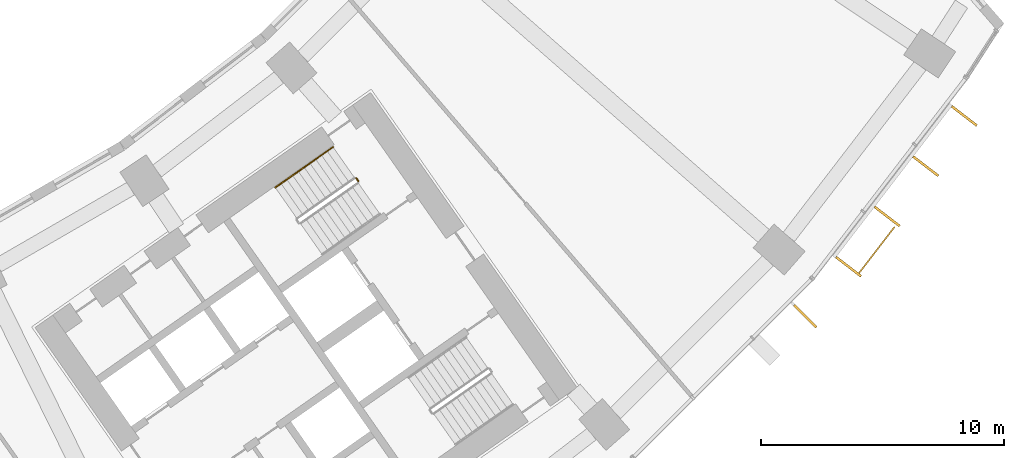
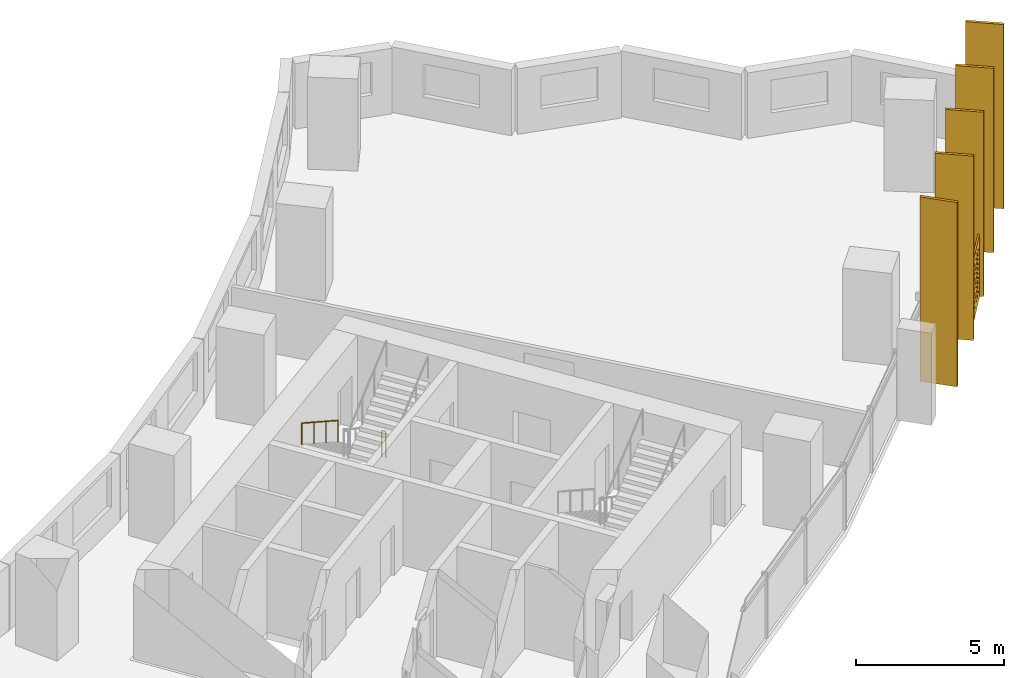
# One storey, part 32 of 32: 6 shading devices, 2 railings.
"""IFC4 building model written with IfcOpenShell, lengths in metres."""

import ifcopenshell
import ifcopenshell.guid

model = None  # the IFC model being written
_history = None  # IfcOwnerHistory: only IFC2X3 demands one
_inside = {}  # id of a spatial element -> (the spatial element, [elements in it])
_under = {}  # id of a project, library or spatial element -> (it, [spatial elements below it])
_declared = {}  # id of a project -> (the project, [libraries it declares])
_typed = {}  # id of a type object -> (the type object, [elements of that type])
_made_of = {}  # id of a material, layer set ... -> (it, [elements and type objects made of it])


def new_model(schema):
    """Start an empty IFC model of exactly this schema.

    Asked for "IFC4X3", IfcOpenShell would pick the latest addendum, in which some entities
    have other attributes; the version numbers below select the first issue.
    IFC2X3 requires an IfcOwnerHistory on every rooted entity: one is made here for all.
    """
    global model, _history
    if schema == "IFC4X3":
        model = ifcopenshell.file(schema_version=(4, 3, 0, 0))
    else:
        model = ifcopenshell.file(schema=schema)
    _inside.clear()
    _under.clear()
    _declared.clear()
    _typed.clear()
    _made_of.clear()
    _history = None
    if model.schema == "IFC2X3":
        org = make("IfcOrganization", Name="unknown")
        user = make(
            "IfcPersonAndOrganization",
            ThePerson=make("IfcPerson", FamilyName="unknown"),
            TheOrganization=org,
        )
        app = make(
            "IfcApplication",
            ApplicationDeveloper=org,
            Version="unknown",
            ApplicationFullName="unknown",
            ApplicationIdentifier="unknown",
        )
        _history = make(
            "IfcOwnerHistory",
            OwningUser=user,
            OwningApplication=app,
            ChangeAction="ADDED",
            CreationDate=0,
        )
    return model


def make(cls, **values):
    """One entity of the class cls with the attributes given. An attribute that is None is left unset."""
    return model.create_entity(
        cls, **{name: value for name, value in values.items() if value is not None}
    )


def rooted(cls, **values):
    """An entity with a GlobalId (a new one), such as an element, a storey or a relation."""
    return make(cls, GlobalId=ifcopenshell.guid.new(), OwnerHistory=_history, **values)


def si_unit(unit_type, name, prefix=None):
    """IfcSIUnit, for example si_unit("LENGTHUNIT", "METRE", prefix="MILLI")."""
    return make("IfcSIUnit", UnitType=unit_type, Prefix=prefix, Name=name)


def assignment(units):
    """IfcUnitAssignment: the units of a project."""
    return None if units is None else make("IfcUnitAssignment", Units=units)


def point(xyz):
    """IfcCartesianPoint."""
    return None if xyz is None else make("IfcCartesianPoint", Coordinates=xyz)


def direction(xyz):
    """IfcDirection."""
    return None if xyz is None else make("IfcDirection", DirectionRatios=xyz)


def frame(location, z_axis=None, x_axis=None):
    """IfcAxis2Placement3D, a coordinate frame: its origin and axes. An axis left out is left unset."""
    return make(
        "IfcAxis2Placement3D",
        Location=point(location),
        Axis=direction(z_axis),
        RefDirection=direction(x_axis),
    )


def frame_2d(location, x_axis=None):
    """IfcAxis2Placement2D, a coordinate frame in the plane: its origin and x axis."""
    return make(
        "IfcAxis2Placement2D", Location=point(location), RefDirection=direction(x_axis)
    )


def origin():
    """The frame at (0, 0, 0) with its axes left unset."""
    return frame((0.0, 0.0, 0.0))


def origin_2d():
    """The frame at (0, 0) in the plane with its x axis left unset."""
    return frame_2d((0.0, 0.0))


def place(relative_to, where):
    """IfcLocalPlacement: puts the frame where relative to a parent placement (None: the world)."""
    return make(
        "IfcLocalPlacement", PlacementRelTo=relative_to, RelativePlacement=where
    )


def context(
    kind, dimensions, precision=None, world=None, true_north=None, identifier=None
):
    """IfcGeometricRepresentationContext, for example the 3D "Model" context."""
    return make(
        "IfcGeometricRepresentationContext",
        ContextIdentifier=identifier,
        ContextType=kind,
        CoordinateSpaceDimension=dimensions,
        Precision=precision,
        WorldCoordinateSystem=world,
        TrueNorth=true_north,
    )


def subcontext(parent, identifier, kind, view, scale=None):
    """IfcGeometricRepresentationSubContext, for example "Body" below "Model"."""
    return make(
        "IfcGeometricRepresentationSubContext",
        ContextIdentifier=identifier,
        ContextType=kind,
        ParentContext=parent,
        TargetScale=scale,
        TargetView=view,
    )


def project(units=None, contexts=None):
    """IfcProject with its units and contexts."""
    return rooted(
        "IfcProject",
        Name="project",
        RepresentationContexts=contexts,
        UnitsInContext=assignment(units),
    )


def spatial(cls, under=None, at=None, **own):
    """A site, building, storey or space (cls), placed at a placement, below another one or the project."""
    s = rooted(cls, ObjectPlacement=at, **own)
    if under is not None:
        _under.setdefault(under.id(), (under, []))[1].append(s)
    return s


def polyline(points):
    """IfcPolyline through the points."""
    return make("IfcPolyline", Points=[point(p) for p in points])


def profile(cls, at=None, kind="AREA", **sizes):
    """A parametric profile (cls). Its sizes go by their IFC names, for example OverallWidth=200.0."""
    return make(cls, ProfileType=kind, Position=at, **sizes)


def rectangle(**sizes):
    """IfcRectangleProfileDef."""
    return profile("IfcRectangleProfileDef", **sizes)


def circle(**sizes):
    """IfcCircleProfileDef."""
    return profile("IfcCircleProfileDef", **sizes)


def outline(outer, holes=None, kind="AREA"):
    """IfcArbitraryClosedProfileDef: a profile drawn as a closed curve; with holes, ...WithVoids."""
    if holes is None:
        return make("IfcArbitraryClosedProfileDef", ProfileType=kind, OuterCurve=outer)
    return make(
        "IfcArbitraryProfileDefWithVoids",
        ProfileType=kind,
        OuterCurve=outer,
        InnerCurves=holes,
    )


def extrude(swept, where, along, depth):
    """IfcExtrudedAreaSolid: the profile swept, set in the frame where, extruded along a direction by depth."""
    return make(
        "IfcExtrudedAreaSolid",
        SweptArea=swept,
        Position=where,
        ExtrudedDirection=direction(along),
        Depth=depth,
    )


def shape(context_of_items, identifier, shape_type, items):
    """IfcShapeRepresentation: the items that make up one representation, for example the "Body"."""
    return make(
        "IfcShapeRepresentation",
        ContextOfItems=context_of_items,
        RepresentationIdentifier=identifier,
        RepresentationType=shape_type,
        Items=items,
    )


def material(Name=None, Category=None):
    """IfcMaterial."""
    return make("IfcMaterial", Name=Name, Category=Category)


def material_profile(
    of_material, cross_section, Name=None, Category=None, Priority=None
):
    """IfcMaterialProfile: a cross section and its material."""
    return make(
        "IfcMaterialProfile",
        Name=Name,
        Material=of_material,
        Profile=cross_section,
        Priority=Priority,
        Category=Category,
    )


def profile_set(profiles, Name=None, composite=None):
    """IfcMaterialProfileSet."""
    return make(
        "IfcMaterialProfileSet",
        Name=Name,
        MaterialProfiles=profiles,
        CompositeProfile=composite,
    )


def made_of(thing, what):
    """Note that an element or type object is made of a material, layer set ...; save() writes the relation."""
    if what is not None:
        _made_of.setdefault(what.id(), (what, []))[1].append(thing)
    return thing


def type_object(cls, material=None, **own):
    """A type object (cls), such as IfcWallType, which elements share."""
    return made_of(rooted(cls, **own), material)


def element(
    cls,
    number,
    at=None,
    inside=None,
    cuts=None,
    type_object=None,
    material=None,
    context=None,
    identifier="Body",
    shape_type=None,
    held_by="IfcProductDefinitionShape",
    body=None,
    shapes=None,
    **own,
):
    """One element of the class cls, such as IfcWall. Its Tag is "e" and its number.

    at: its placement. inside: the storey or other place that contains it. cuts: it is an
    opening in that element (IfcRelVoidsElement). A single representation is given by context,
    identifier, shape_type and body (its items); several are given by shapes. held_by: the class
    of the entity that holds the representations. save() writes the other relations.
    """
    e = rooted(cls, Tag="e%d" % number, ObjectPlacement=at, **own)
    if body is not None:
        shapes = [shape(context, identifier, shape_type, body)]
    if shapes is not None:
        e.Representation = make(held_by, Representations=shapes)
    if inside is not None:
        _inside.setdefault(inside.id(), (inside, []))[1].append(e)
    if cuts is not None:
        rooted(
            "IfcRelVoidsElement", RelatingBuildingElement=cuts, RelatedOpeningElement=e
        )
    if type_object is not None:
        _typed.setdefault(type_object.id(), (type_object, []))[1].append(e)
    return made_of(e, material)


def aggregate(whole, parts):
    """IfcRelAggregates: a whole, such as a stair, and the parts it consists of."""
    return rooted("IfcRelAggregates", RelatingObject=whole, RelatedObjects=parts)


def save(model, path):
    """Write the relations noted so far, then the file.

    IfcRelAggregates (storeys below a building ...), IfcRelContainedInSpatialStructure (elements
    in a storey), IfcRelDefinesByType, IfcRelAssociatesMaterial and IfcRelDeclares: one each for
    every whole, place, type object, material and project.
    """
    for whole, parts in _under.values():
        aggregate(whole, parts)
    for where, things in _inside.values():
        rooted(
            "IfcRelContainedInSpatialStructure",
            RelatedElements=things,
            RelatingStructure=where,
        )
    for kind, things in _typed.values():
        rooted("IfcRelDefinesByType", RelatedObjects=things, RelatingType=kind)
    for what, things in _made_of.values():
        rooted("IfcRelAssociatesMaterial", RelatedObjects=things, RelatingMaterial=what)
    for by, libraries in _declared.values():
        rooted("IfcRelDeclares", RelatingContext=by, RelatedDefinitions=libraries)
    model.write(path)


model = new_model("IFC4")

# Units and contexts
model_context = context("Model", 3, precision=1e-05, world=origin(), true_north=direction((0.0, 1.0)))
body_context = subcontext(model_context, "Body", "Model", "MODEL_VIEW")
ifc_project = project(units=[si_unit("LENGTHUNIT", "METRE"), si_unit("AREAUNIT", "SQUARE_METRE"), si_unit("VOLUMEUNIT", "CUBIC_METRE"), si_unit("PLANEANGLEUNIT", "RADIAN"), si_unit("MASSUNIT", "GRAM", prefix="KILO")], contexts=[model_context])

# Site, building, storey
site_placement = place(None, origin())
site = spatial("IfcSite", under=ifc_project, at=site_placement, CompositionType="ELEMENT")
building_placement = place(site_placement, origin())
building = spatial("IfcBuilding", under=site, at=building_placement, Name="Qamariyya Broadcast Tower", CompositionType="ELEMENT")
storey_placement = place(building_placement, frame((0.0, 0.0, 63.300048828125)))
storey = spatial("IfcBuildingStorey", under=building, at=storey_placement, Name="L12", CompositionType="ELEMENT", Elevation=63.300048828125)

# Shading device
ifc_material_1 = material(Name="Perforated glazed terracotta", Category="masonry")
ifc_material_profile_1 = material_profile(ifc_material_1, outline(polyline([(-1.199951171875, -1.300048828125), (1.199951171875, -1.300048828125), (1.199951171875, 1.300048828125), (-1.199951171875, 1.300048828125), (-1.199951171875, -1.300048828125)]), holes=[polyline([(-0.81494140625, -0.86669921875), (-0.89990234375, -0.78173828125), (-0.985107421875, -0.86669921875), (-0.89990234375, -0.95166015625), (-0.81494140625, -0.86669921875)]), polyline([(-0.514892578125, -0.86669921875), (-0.60009765625, -0.78173828125), (-0.68505859375, -0.86669921875), (-0.60009765625, -0.95166015625), (-0.514892578125, -0.86669921875)]), polyline([(-0.215087890625, -0.86669921875), (-0.300048828125, -0.78173828125), (-0.385009765625, -0.86669921875), (-0.300048828125, -0.95166015625), (-0.215087890625, -0.86669921875)]), polyline([(0.0849609375, -0.86669921875), (0.0, -0.78173828125), (-0.0849609375, -0.86669921875), (0.0, -0.95166015625), (0.0849609375, -0.86669921875)]), polyline([(0.385009765625, -0.86669921875), (0.300048828125, -0.78173828125), (0.215087890625, -0.86669921875), (0.300048828125, -0.95166015625), (0.385009765625, -0.86669921875)]), polyline([(0.68505859375, -0.86669921875), (0.60009765625, -0.78173828125), (0.514892578125, -0.86669921875), (0.60009765625, -0.95166015625), (0.68505859375, -0.86669921875)]), polyline([(0.985107421875, -0.86669921875), (0.89990234375, -0.78173828125), (0.81494140625, -0.86669921875), (0.89990234375, -0.95166015625), (0.985107421875, -0.86669921875)]), polyline([(-0.965087890625, -0.577880859375), (-1.050048828125, -0.49267578125), (-1.135009765625, -0.577880859375), (-1.050048828125, -0.662841796875), (-0.965087890625, -0.577880859375)]), polyline([(-0.6650390625, -0.577880859375), (-0.75, -0.49267578125), (-0.8349609375, -0.577880859375), (-0.75, -0.662841796875), (-0.6650390625, -0.577880859375)]), polyline([(-0.364990234375, -0.577880859375), (-0.449951171875, -0.49267578125), (-0.534912109375, -0.577880859375), (-0.449951171875, -0.662841796875), (-0.364990234375, -0.577880859375)]), polyline([(-0.06494140625, -0.577880859375), (-0.14990234375, -0.49267578125), (-0.235107421875, -0.577880859375), (-0.14990234375, -0.662841796875), (-0.06494140625, -0.577880859375)]), polyline([(0.235107421875, -0.577880859375), (0.14990234375, -0.49267578125), (0.06494140625, -0.577880859375), (0.14990234375, -0.662841796875), (0.235107421875, -0.577880859375)]), polyline([(0.534912109375, -0.577880859375), (0.449951171875, -0.49267578125), (0.364990234375, -0.577880859375), (0.449951171875, -0.662841796875), (0.534912109375, -0.577880859375)]), polyline([(0.8349609375, -0.577880859375), (0.75, -0.49267578125), (0.6650390625, -0.577880859375), (0.75, -0.662841796875), (0.8349609375, -0.577880859375)]), polyline([(1.135009765625, -0.577880859375), (1.050048828125, -0.49267578125), (0.965087890625, -0.577880859375), (1.050048828125, -0.662841796875), (1.135009765625, -0.577880859375)]), polyline([(-0.81494140625, -0.288818359375), (-0.89990234375, -0.203857421875), (-0.985107421875, -0.288818359375), (-0.89990234375, -0.373779296875), (-0.81494140625, -0.288818359375)]), polyline([(-0.514892578125, -0.288818359375), (-0.60009765625, -0.203857421875), (-0.68505859375, -0.288818359375), (-0.60009765625, -0.373779296875), (-0.514892578125, -0.288818359375)]), polyline([(-0.215087890625, -0.288818359375), (-0.300048828125, -0.203857421875), (-0.385009765625, -0.288818359375), (-0.300048828125, -0.373779296875), (-0.215087890625, -0.288818359375)]), polyline([(0.0849609375, -0.288818359375), (0.0, -0.203857421875), (-0.0849609375, -0.288818359375), (0.0, -0.373779296875), (0.0849609375, -0.288818359375)]), polyline([(0.385009765625, -0.288818359375), (0.300048828125, -0.203857421875), (0.215087890625, -0.288818359375), (0.300048828125, -0.373779296875), (0.385009765625, -0.288818359375)]), polyline([(0.68505859375, -0.288818359375), (0.60009765625, -0.203857421875), (0.514892578125, -0.288818359375), (0.60009765625, -0.373779296875), (0.68505859375, -0.288818359375)]), polyline([(0.985107421875, -0.288818359375), (0.89990234375, -0.203857421875), (0.81494140625, -0.288818359375), (0.89990234375, -0.373779296875), (0.985107421875, -0.288818359375)]), polyline([(-0.965087890625, 0.0), (-1.050048828125, 0.0849609375), (-1.135009765625, 0.0), (-1.050048828125, -0.0849609375), (-0.965087890625, 0.0)]), polyline([(-0.6650390625, 0.0), (-0.75, 0.0849609375), (-0.8349609375, 0.0), (-0.75, -0.0849609375), (-0.6650390625, 0.0)]), polyline([(-0.364990234375, 0.0), (-0.449951171875, 0.0849609375), (-0.534912109375, 0.0), (-0.449951171875, -0.0849609375), (-0.364990234375, 0.0)]), polyline([(-0.06494140625, 0.0), (-0.14990234375, 0.0849609375), (-0.235107421875, 0.0), (-0.14990234375, -0.0849609375), (-0.06494140625, 0.0)]), polyline([(0.235107421875, 0.0), (0.14990234375, 0.0849609375), (0.06494140625, 0.0), (0.14990234375, -0.0849609375), (0.235107421875, 0.0)]), polyline([(0.534912109375, 0.0), (0.449951171875, 0.0849609375), (0.364990234375, 0.0), (0.449951171875, -0.0849609375), (0.534912109375, 0.0)]), polyline([(0.8349609375, 0.0), (0.75, 0.0849609375), (0.6650390625, 0.0), (0.75, -0.0849609375), (0.8349609375, 0.0)]), polyline([(1.135009765625, 0.0), (1.050048828125, 0.0849609375), (0.965087890625, 0.0), (1.050048828125, -0.0849609375), (1.135009765625, 0.0)]), polyline([(-0.81494140625, 0.288818359375), (-0.89990234375, 0.373779296875), (-0.985107421875, 0.288818359375), (-0.89990234375, 0.203857421875), (-0.81494140625, 0.288818359375)]), polyline([(-0.514892578125, 0.288818359375), (-0.60009765625, 0.373779296875), (-0.68505859375, 0.288818359375), (-0.60009765625, 0.203857421875), (-0.514892578125, 0.288818359375)]), polyline([(-0.215087890625, 0.288818359375), (-0.300048828125, 0.373779296875), (-0.385009765625, 0.288818359375), (-0.300048828125, 0.203857421875), (-0.215087890625, 0.288818359375)]), polyline([(0.0849609375, 0.288818359375), (0.0, 0.373779296875), (-0.0849609375, 0.288818359375), (0.0, 0.203857421875), (0.0849609375, 0.288818359375)]), polyline([(0.385009765625, 0.288818359375), (0.300048828125, 0.373779296875), (0.215087890625, 0.288818359375), (0.300048828125, 0.203857421875), (0.385009765625, 0.288818359375)]), polyline([(0.68505859375, 0.288818359375), (0.60009765625, 0.373779296875), (0.514892578125, 0.288818359375), (0.60009765625, 0.203857421875), (0.68505859375, 0.288818359375)]), polyline([(0.985107421875, 0.288818359375), (0.89990234375, 0.373779296875), (0.81494140625, 0.288818359375), (0.89990234375, 0.203857421875), (0.985107421875, 0.288818359375)]), polyline([(-0.965087890625, 0.577880859375), (-1.050048828125, 0.662841796875), (-1.135009765625, 0.577880859375), (-1.050048828125, 0.49267578125), (-0.965087890625, 0.577880859375)]), polyline([(-0.6650390625, 0.577880859375), (-0.75, 0.662841796875), (-0.8349609375, 0.577880859375), (-0.75, 0.49267578125), (-0.6650390625, 0.577880859375)]), polyline([(-0.364990234375, 0.577880859375), (-0.449951171875, 0.662841796875), (-0.534912109375, 0.577880859375), (-0.449951171875, 0.49267578125), (-0.364990234375, 0.577880859375)]), polyline([(-0.06494140625, 0.577880859375), (-0.14990234375, 0.662841796875), (-0.235107421875, 0.577880859375), (-0.14990234375, 0.49267578125), (-0.06494140625, 0.577880859375)]), polyline([(0.235107421875, 0.577880859375), (0.14990234375, 0.662841796875), (0.06494140625, 0.577880859375), (0.14990234375, 0.49267578125), (0.235107421875, 0.577880859375)]), polyline([(0.534912109375, 0.577880859375), (0.449951171875, 0.662841796875), (0.364990234375, 0.577880859375), (0.449951171875, 0.49267578125), (0.534912109375, 0.577880859375)]), polyline([(0.8349609375, 0.577880859375), (0.75, 0.662841796875), (0.6650390625, 0.577880859375), (0.75, 0.49267578125), (0.8349609375, 0.577880859375)]), polyline([(1.135009765625, 0.577880859375), (1.050048828125, 0.662841796875), (0.965087890625, 0.577880859375), (1.050048828125, 0.49267578125), (1.135009765625, 0.577880859375)]), polyline([(-0.81494140625, 0.86669921875), (-0.89990234375, 0.95166015625), (-0.985107421875, 0.86669921875), (-0.89990234375, 0.78173828125), (-0.81494140625, 0.86669921875)]), polyline([(-0.514892578125, 0.86669921875), (-0.60009765625, 0.95166015625), (-0.68505859375, 0.86669921875), (-0.60009765625, 0.78173828125), (-0.514892578125, 0.86669921875)]), polyline([(-0.215087890625, 0.86669921875), (-0.300048828125, 0.95166015625), (-0.385009765625, 0.86669921875), (-0.300048828125, 0.78173828125), (-0.215087890625, 0.86669921875)]), polyline([(0.0849609375, 0.86669921875), (0.0, 0.95166015625), (-0.0849609375, 0.86669921875), (0.0, 0.78173828125), (0.0849609375, 0.86669921875)]), polyline([(0.385009765625, 0.86669921875), (0.300048828125, 0.95166015625), (0.215087890625, 0.86669921875), (0.300048828125, 0.78173828125), (0.385009765625, 0.86669921875)]), polyline([(0.68505859375, 0.86669921875), (0.60009765625, 0.95166015625), (0.514892578125, 0.86669921875), (0.60009765625, 0.78173828125), (0.68505859375, 0.86669921875)]), polyline([(0.985107421875, 0.86669921875), (0.89990234375, 0.95166015625), (0.81494140625, 0.86669921875), (0.89990234375, 0.78173828125), (0.985107421875, 0.86669921875)])]))
ifc_profile_set_1 = profile_set([ifc_material_profile_1], Name="Perforated glazed terracotta")
shading_device_type_1 = type_object("IfcShadingDeviceType", Name="Perforated terracotta screen 2400 x 2600", PredefinedType="USERDEFINED", material=ifc_profile_set_1)
shading_device_placement = place(storey_placement, frame((62.4453125, -51.26513671875, 1.349853515625), z_axis=(0.792623989105, -0.60971076085, 0.0), x_axis=(0.60971076085, 0.792623989105, 0.0)))
element("IfcShadingDevice", 1, at=shading_device_placement, inside=storey, type_object=shading_device_type_1, Name="e-scr-L12-15-0", ObjectType="SCREEN", PredefinedType="USERDEFINED", context=body_context, shape_type="SweptSolid", body=[
    extrude(outline(polyline([(-1.199951171875, -1.300048828125), (1.199951171875, -1.300048828125), (1.199951171875, 1.300048828125), (-1.199951171875, 1.300048828125), (-1.199951171875, -1.300048828125)]), holes=[polyline([(-0.81494140625, -0.86669921875), (-0.89990234375, -0.78173828125), (-0.985107421875, -0.86669921875), (-0.89990234375, -0.95166015625), (-0.81494140625, -0.86669921875)]), polyline([(-0.514892578125, -0.86669921875), (-0.60009765625, -0.78173828125), (-0.68505859375, -0.86669921875), (-0.60009765625, -0.95166015625), (-0.514892578125, -0.86669921875)]), polyline([(-0.215087890625, -0.86669921875), (-0.300048828125, -0.78173828125), (-0.385009765625, -0.86669921875), (-0.300048828125, -0.95166015625), (-0.215087890625, -0.86669921875)]), polyline([(0.0849609375, -0.86669921875), (0.0, -0.78173828125), (-0.0849609375, -0.86669921875), (0.0, -0.95166015625), (0.0849609375, -0.86669921875)]), polyline([(0.385009765625, -0.86669921875), (0.300048828125, -0.78173828125), (0.215087890625, -0.86669921875), (0.300048828125, -0.95166015625), (0.385009765625, -0.86669921875)]), polyline([(0.68505859375, -0.86669921875), (0.60009765625, -0.78173828125), (0.514892578125, -0.86669921875), (0.60009765625, -0.95166015625), (0.68505859375, -0.86669921875)]), polyline([(0.985107421875, -0.86669921875), (0.89990234375, -0.78173828125), (0.81494140625, -0.86669921875), (0.89990234375, -0.95166015625), (0.985107421875, -0.86669921875)]), polyline([(-0.965087890625, -0.577880859375), (-1.050048828125, -0.49267578125), (-1.135009765625, -0.577880859375), (-1.050048828125, -0.662841796875), (-0.965087890625, -0.577880859375)]), polyline([(-0.6650390625, -0.577880859375), (-0.75, -0.49267578125), (-0.8349609375, -0.577880859375), (-0.75, -0.662841796875), (-0.6650390625, -0.577880859375)]), polyline([(-0.364990234375, -0.577880859375), (-0.449951171875, -0.49267578125), (-0.534912109375, -0.577880859375), (-0.449951171875, -0.662841796875), (-0.364990234375, -0.577880859375)]), polyline([(-0.06494140625, -0.577880859375), (-0.14990234375, -0.49267578125), (-0.235107421875, -0.577880859375), (-0.14990234375, -0.662841796875), (-0.06494140625, -0.577880859375)]), polyline([(0.235107421875, -0.577880859375), (0.14990234375, -0.49267578125), (0.06494140625, -0.577880859375), (0.14990234375, -0.662841796875), (0.235107421875, -0.577880859375)]), polyline([(0.534912109375, -0.577880859375), (0.449951171875, -0.49267578125), (0.364990234375, -0.577880859375), (0.449951171875, -0.662841796875), (0.534912109375, -0.577880859375)]), polyline([(0.8349609375, -0.577880859375), (0.75, -0.49267578125), (0.6650390625, -0.577880859375), (0.75, -0.662841796875), (0.8349609375, -0.577880859375)]), polyline([(1.135009765625, -0.577880859375), (1.050048828125, -0.49267578125), (0.965087890625, -0.577880859375), (1.050048828125, -0.662841796875), (1.135009765625, -0.577880859375)]), polyline([(-0.81494140625, -0.288818359375), (-0.89990234375, -0.203857421875), (-0.985107421875, -0.288818359375), (-0.89990234375, -0.373779296875), (-0.81494140625, -0.288818359375)]), polyline([(-0.514892578125, -0.288818359375), (-0.60009765625, -0.203857421875), (-0.68505859375, -0.288818359375), (-0.60009765625, -0.373779296875), (-0.514892578125, -0.288818359375)]), polyline([(-0.215087890625, -0.288818359375), (-0.300048828125, -0.203857421875), (-0.385009765625, -0.288818359375), (-0.300048828125, -0.373779296875), (-0.215087890625, -0.288818359375)]), polyline([(0.0849609375, -0.288818359375), (0.0, -0.203857421875), (-0.0849609375, -0.288818359375), (0.0, -0.373779296875), (0.0849609375, -0.288818359375)]), polyline([(0.385009765625, -0.288818359375), (0.300048828125, -0.203857421875), (0.215087890625, -0.288818359375), (0.300048828125, -0.373779296875), (0.385009765625, -0.288818359375)]), polyline([(0.68505859375, -0.288818359375), (0.60009765625, -0.203857421875), (0.514892578125, -0.288818359375), (0.60009765625, -0.373779296875), (0.68505859375, -0.288818359375)]), polyline([(0.985107421875, -0.288818359375), (0.89990234375, -0.203857421875), (0.81494140625, -0.288818359375), (0.89990234375, -0.373779296875), (0.985107421875, -0.288818359375)]), polyline([(-0.965087890625, 0.0), (-1.050048828125, 0.0849609375), (-1.135009765625, 0.0), (-1.050048828125, -0.0849609375), (-0.965087890625, 0.0)]), polyline([(-0.6650390625, 0.0), (-0.75, 0.0849609375), (-0.8349609375, 0.0), (-0.75, -0.0849609375), (-0.6650390625, 0.0)]), polyline([(-0.364990234375, 0.0), (-0.449951171875, 0.0849609375), (-0.534912109375, 0.0), (-0.449951171875, -0.0849609375), (-0.364990234375, 0.0)]), polyline([(-0.06494140625, 0.0), (-0.14990234375, 0.0849609375), (-0.235107421875, 0.0), (-0.14990234375, -0.0849609375), (-0.06494140625, 0.0)]), polyline([(0.235107421875, 0.0), (0.14990234375, 0.0849609375), (0.06494140625, 0.0), (0.14990234375, -0.0849609375), (0.235107421875, 0.0)]), polyline([(0.534912109375, 0.0), (0.449951171875, 0.0849609375), (0.364990234375, 0.0), (0.449951171875, -0.0849609375), (0.534912109375, 0.0)]), polyline([(0.8349609375, 0.0), (0.75, 0.0849609375), (0.6650390625, 0.0), (0.75, -0.0849609375), (0.8349609375, 0.0)]), polyline([(1.135009765625, 0.0), (1.050048828125, 0.0849609375), (0.965087890625, 0.0), (1.050048828125, -0.0849609375), (1.135009765625, 0.0)]), polyline([(-0.81494140625, 0.288818359375), (-0.89990234375, 0.373779296875), (-0.985107421875, 0.288818359375), (-0.89990234375, 0.203857421875), (-0.81494140625, 0.288818359375)]), polyline([(-0.514892578125, 0.288818359375), (-0.60009765625, 0.373779296875), (-0.68505859375, 0.288818359375), (-0.60009765625, 0.203857421875), (-0.514892578125, 0.288818359375)]), polyline([(-0.215087890625, 0.288818359375), (-0.300048828125, 0.373779296875), (-0.385009765625, 0.288818359375), (-0.300048828125, 0.203857421875), (-0.215087890625, 0.288818359375)]), polyline([(0.0849609375, 0.288818359375), (0.0, 0.373779296875), (-0.0849609375, 0.288818359375), (0.0, 0.203857421875), (0.0849609375, 0.288818359375)]), polyline([(0.385009765625, 0.288818359375), (0.300048828125, 0.373779296875), (0.215087890625, 0.288818359375), (0.300048828125, 0.203857421875), (0.385009765625, 0.288818359375)]), polyline([(0.68505859375, 0.288818359375), (0.60009765625, 0.373779296875), (0.514892578125, 0.288818359375), (0.60009765625, 0.203857421875), (0.68505859375, 0.288818359375)]), polyline([(0.985107421875, 0.288818359375), (0.89990234375, 0.373779296875), (0.81494140625, 0.288818359375), (0.89990234375, 0.203857421875), (0.985107421875, 0.288818359375)]), polyline([(-0.965087890625, 0.577880859375), (-1.050048828125, 0.662841796875), (-1.135009765625, 0.577880859375), (-1.050048828125, 0.49267578125), (-0.965087890625, 0.577880859375)]), polyline([(-0.6650390625, 0.577880859375), (-0.75, 0.662841796875), (-0.8349609375, 0.577880859375), (-0.75, 0.49267578125), (-0.6650390625, 0.577880859375)]), polyline([(-0.364990234375, 0.577880859375), (-0.449951171875, 0.662841796875), (-0.534912109375, 0.577880859375), (-0.449951171875, 0.49267578125), (-0.364990234375, 0.577880859375)]), polyline([(-0.06494140625, 0.577880859375), (-0.14990234375, 0.662841796875), (-0.235107421875, 0.577880859375), (-0.14990234375, 0.49267578125), (-0.06494140625, 0.577880859375)]), polyline([(0.235107421875, 0.577880859375), (0.14990234375, 0.662841796875), (0.06494140625, 0.577880859375), (0.14990234375, 0.49267578125), (0.235107421875, 0.577880859375)]), polyline([(0.534912109375, 0.577880859375), (0.449951171875, 0.662841796875), (0.364990234375, 0.577880859375), (0.449951171875, 0.49267578125), (0.534912109375, 0.577880859375)]), polyline([(0.8349609375, 0.577880859375), (0.75, 0.662841796875), (0.6650390625, 0.577880859375), (0.75, 0.49267578125), (0.8349609375, 0.577880859375)]), polyline([(1.135009765625, 0.577880859375), (1.050048828125, 0.662841796875), (0.965087890625, 0.577880859375), (1.050048828125, 0.49267578125), (1.135009765625, 0.577880859375)]), polyline([(-0.81494140625, 0.86669921875), (-0.89990234375, 0.95166015625), (-0.985107421875, 0.86669921875), (-0.89990234375, 0.78173828125), (-0.81494140625, 0.86669921875)]), polyline([(-0.514892578125, 0.86669921875), (-0.60009765625, 0.95166015625), (-0.68505859375, 0.86669921875), (-0.60009765625, 0.78173828125), (-0.514892578125, 0.86669921875)]), polyline([(-0.215087890625, 0.86669921875), (-0.300048828125, 0.95166015625), (-0.385009765625, 0.86669921875), (-0.300048828125, 0.78173828125), (-0.215087890625, 0.86669921875)]), polyline([(0.0849609375, 0.86669921875), (0.0, 0.95166015625), (-0.0849609375, 0.86669921875), (0.0, 0.78173828125), (0.0849609375, 0.86669921875)]), polyline([(0.385009765625, 0.86669921875), (0.300048828125, 0.95166015625), (0.215087890625, 0.86669921875), (0.300048828125, 0.78173828125), (0.385009765625, 0.86669921875)]), polyline([(0.68505859375, 0.86669921875), (0.60009765625, 0.95166015625), (0.514892578125, 0.86669921875), (0.60009765625, 0.78173828125), (0.68505859375, 0.86669921875)]), polyline([(0.985107421875, 0.86669921875), (0.89990234375, 0.95166015625), (0.81494140625, 0.86669921875), (0.89990234375, 0.78173828125), (0.985107421875, 0.86669921875)])]), origin(), (0.0, 0.0, 1.0), 0.06005859375),
])

# Railings
ifc_material_2 = material(Name="Painted steel", Category="steel")
railing_type_1 = type_object("IfcRailingType", Name="Stair guard", PredefinedType="GUARDRAIL", material=ifc_material_2)
railing_1_placement = place(storey_placement, frame((41.072998046875, -48.332275390625, 0.0)))
element("IfcRailing", 2, at=railing_1_placement, inside=storey, type_object=railing_type_1, Name="L12 ST-E2 stair guard 3", PredefinedType="GUARDRAIL", context=body_context, shape_type="SweptSolid", body=[
    extrude(circle(Radius=0.02392578125, at=origin_2d()), frame((0.0, 0.0, 1.076171875), z_axis=(0.572588637393, -0.819842821722, 0.0), x_axis=(0.819842821722, 0.572588637393, 0.0)), (0.0, 0.0, 1.0), 0.150146484375),
    extrude(circle(Radius=0.02099609375, at=origin_2d()), origin(), (0.0, 0.0, 1.0), 1.052001953125),
    extrude(circle(Radius=0.02099609375, at=origin_2d()), frame((0.0859375, -0.123046875, 0.0)), (0.0, 0.0, 1.0), 1.052001953125),
])
ifc_material_3 = material(Name="Stainless steel", Category="steel")
railing_type_2 = type_object("IfcRailingType", Name="Stair handrail", PredefinedType="HANDRAIL", material=ifc_material_3)
railing_2_placement = place(storey_placement, frame((40.1142578125, -47.05029296875, 0.172607421875)))
element("IfcRailing", 3, at=railing_2_placement, inside=storey, type_object=railing_type_2, Name="L12 ST-E2 stair handrail 1", PredefinedType="HANDRAIL", context=body_context, shape_type="SweptSolid", body=[
    extrude(circle(Radius=0.02392578125, at=origin_2d()), frame((0.0, 0.0, 0.8759765625), z_axis=(-0.703745009021, -0.492838488332, 0.511715923826), x_axis=(0.573631830683, -0.819113253969, 0.0)), (0.0, 0.0, 1.0), 3.37548828125),
    extrude(circle(Radius=0.02099609375, at=origin_2d()), origin(), (0.0, 0.0, 1.0), 0.851806640625),
    extrude(circle(Radius=0.02099609375, at=origin_2d()), frame((-0.791748046875, -0.554443359375, 0.57568359375)), (0.0, 0.0, 1.0), 0.851806640625),
    extrude(circle(Radius=0.02099609375, at=origin_2d()), frame((-1.583740234375, -1.109130859375, 1.151611328125)), (0.0, 0.0, 1.0), 0.851806640625),
    extrude(circle(Radius=0.02099609375, at=origin_2d()), frame((-2.37548828125, -1.66357421875, 1.727294921875)), (0.0, 0.0, 1.0), 0.851806640625),
])

# Shading devices
ifc_material_4 = material(Name="Glazed terracotta", Category="masonry")
ifc_material_profile_2 = material_profile(ifc_material_4, rectangle(XDim=1.300048828125, YDim=0.10009765625, at=origin_2d()))
ifc_profile_set_2 = profile_set([ifc_material_profile_2], Name="Glazed terracotta")
shading_device_type_2 = type_object("IfcShadingDeviceType", Name="Terracotta fin 100 x 1300", PredefinedType="USERDEFINED", material=ifc_profile_set_2)
for number, where, z_axis, x_axis, name in (
    (4, (59.52880859375, -54.00341796875, 0.0), (0.0, 0.0, 1.0), (0.707106781187, -0.707106781187, 0.0), "e-fin-L12-14-3"),
    (5, (61.3115234375, -51.970703125, 0.0), (0.0, 0.0, 1.0), (0.793353340291, -0.608761429009, 0.0), "e-fin-L12-15-0"),
    (6, (62.897216796875, -49.904296875, 0.0), (0.0, 0.0, 1.0), (0.793353340291, -0.608761429009, 0.0), "e-fin-L12-15-1"),
    (7, (64.48291015625, -47.837890625, 0.0), (0.0, 0.0, 1.0), (0.793353340291, -0.608761429009, 0.0), "e-fin-L12-15-2"),
    (8, (66.068359375, -45.771484375, 0.0), (0.0, 0.0, 1.0), (0.793353340291, -0.608761429009, 0.0), "e-fin-L12-15-3"),
):
    element("IfcShadingDevice", number, at=place(storey_placement, frame(where, z_axis=z_axis, x_axis=x_axis)), inside=storey, type_object=shading_device_type_2, Name=name, ObjectType="FIN", PredefinedType="USERDEFINED", context=body_context, shape_type="SweptSolid", body=[
        extrude(rectangle(XDim=1.300048828125, YDim=0.10009765625, at=origin_2d()), origin(), (0.0, 0.0, 1.0), 7.599853515625),
    ])

save(model, "model.ifc")
